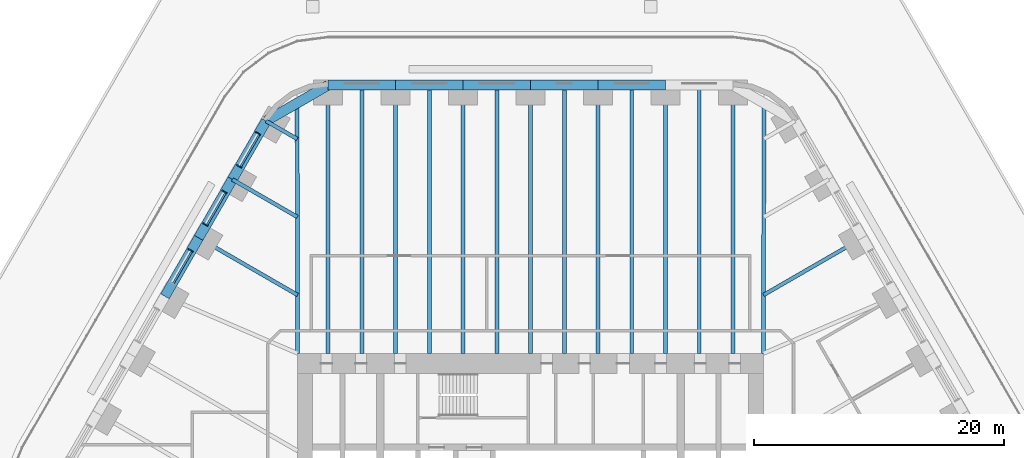
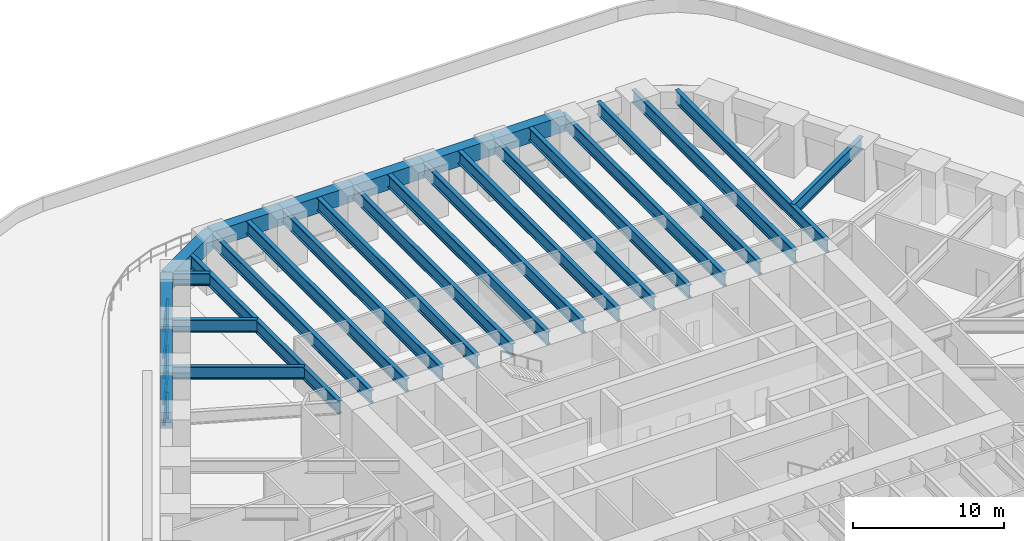
# One storey, part 5 of 17: 28 beams, 8 members, 3 elements without a shape of their own.
"""IFC4 building model written with IfcOpenShell, lengths in metres."""

from ifc_helpers import new_model, si_unit, direction, frame, origin, origin_2d, place, context, subcontext, project, spatial, rectangle, i_section, extrude, material, material_profile, profile_set, type_object, element, aggregate, save


model = new_model("IFC4")

# Units and contexts
model_context = context("Model", 3, precision=1e-05, world=origin(), true_north=direction((0.0, 1.0)))
body_context = subcontext(model_context, "Body", "Model", "MODEL_VIEW")
ifc_project = project(units=[si_unit("LENGTHUNIT", "METRE"), si_unit("AREAUNIT", "SQUARE_METRE"), si_unit("VOLUMEUNIT", "CUBIC_METRE"), si_unit("PLANEANGLEUNIT", "RADIAN"), si_unit("MASSUNIT", "GRAM", prefix="KILO")], contexts=[model_context])

# Site, building, storey
site_placement = place(None, origin())
site = spatial("IfcSite", under=ifc_project, at=site_placement, CompositionType="ELEMENT")
building_placement = place(site_placement, origin())
building = spatial("IfcBuilding", under=site, at=building_placement, Name="Tarfa Lantern Tower", CompositionType="ELEMENT")
storey_placement = place(building_placement, frame((0.0, 0.0, 23.5)))
storey = spatial("IfcBuildingStorey", under=building, at=storey_placement, Name="L04", CompositionType="ELEMENT", Elevation=23.5)

# Curtain wall, members
ifc_material_1 = material(Name="Aluminium framed curtain wall", Category="aluminium")
curtain_wall_type = type_object("IfcCurtainWallType", Name="CW1 CANTED GLAZING LOW ZONE 2700", PredefinedType="USERDEFINED", material=ifc_material_1)
curtain_wall_1_placement = place(storey_placement, origin())
curtain_wall_1 = element("IfcCurtainWall", 1, at=curtain_wall_1_placement, inside=storey, type_object=curtain_wall_type, Name="CW1 NW L04", ObjectType="CURTAIN WALL", PredefinedType="USERDEFINED")
ifc_material_2 = material(Name="Aluminium mullion", Category="aluminium")
ifc_material_profile_1 = material_profile(ifc_material_2, rectangle(XDim=0.06494140625, YDim=0.199951171875, at=origin_2d()), Name="AL MULLION 65x200")
ifc_profile_set_1 = profile_set([ifc_material_profile_1], Name="Aluminium mullion")
member_type_1 = type_object("IfcMemberType", Name="CWM1 MULLION 65x200", PredefinedType="MULLION", material=ifc_profile_set_1)
member_1_placement = place(storey_placement, frame((-21.86669921875, 29.926025390625, 0.0), z_axis=(0.07986442134, -0.046099868913, 0.99573916077), x_axis=(0.499919672301, 0.866071776036, 0.0)))
member_1 = element("IfcMember", 2, at=member_1_placement, type_object=member_type_1, Name="CW1 mullion 1", PredefinedType="MULLION", context=body_context, shape_type="SweptSolid", body=[
    extrude(rectangle(XDim=0.06494140625, YDim=0.199951171875, at=origin_2d()), origin(), (0.0, 0.0, 1.0), 2.71142578125),
])
member_2_placement = place(storey_placement, frame((-23.37841796875, 27.307373046875, 0.0), z_axis=(0.07986442134, -0.046099868913, 0.99573916077), x_axis=(0.499919672301, 0.866071776036, 0.0)))
member_2 = element("IfcMember", 3, at=member_2_placement, type_object=member_type_1, Name="CW1 mullion 2", PredefinedType="MULLION", context=body_context, shape_type="SweptSolid", body=[
    extrude(rectangle(XDim=0.06494140625, YDim=0.199951171875, at=origin_2d()), origin(), (0.0, 0.0, 1.0), 2.71142578125),
])

curtain_wall_2_placement = place(storey_placement, origin())
curtain_wall_2 = element("IfcCurtainWall", 4, at=curtain_wall_2_placement, inside=storey, type_object=curtain_wall_type, Name="CW1 NW L04", ObjectType="CURTAIN WALL", PredefinedType="USERDEFINED")
member_3_placement = place(storey_placement, frame((-24.560791015625, 25.25927734375, 0.0), z_axis=(0.079774955866, -0.04610020023, 0.995746317068), x_axis=(0.500342721131, 0.865827443207, 0.0)))
member_3 = element("IfcMember", 5, at=member_3_placement, type_object=member_type_1, Name="CW1 mullion 1", PredefinedType="MULLION", context=body_context, shape_type="SweptSolid", body=[
    extrude(rectangle(XDim=0.06494140625, YDim=0.199951171875, at=origin_2d()), origin(), (0.0, 0.0, 1.0), 2.71142578125),
])
member_4_placement = place(storey_placement, frame((-26.07275390625, 22.640625, 0.0), z_axis=(0.07986442134, -0.046099868913, 0.99573916077), x_axis=(0.499919672301, 0.866071776036, 0.0)))
member_4 = element("IfcMember", 6, at=member_4_placement, type_object=member_type_1, Name="CW1 mullion 2", PredefinedType="MULLION", context=body_context, shape_type="SweptSolid", body=[
    extrude(rectangle(XDim=0.06494140625, YDim=0.199951171875, at=origin_2d()), origin(), (0.0, 0.0, 1.0), 2.71142578125),
])

# Curtain wall, member
curtain_wall_3_placement = place(storey_placement, origin())
curtain_wall_3 = element("IfcCurtainWall", 7, at=curtain_wall_3_placement, inside=storey, type_object=curtain_wall_type, Name="CW1 NW L04", ObjectType="CURTAIN WALL", PredefinedType="USERDEFINED")
member_5_placement = place(storey_placement, frame((-27.255126953125, 20.592529296875, 0.0), z_axis=(0.079774955866, -0.04610020023, 0.995746317068), x_axis=(0.500342721131, 0.865827443207, 0.0)))
member_5 = element("IfcMember", 8, at=member_5_placement, type_object=member_type_1, Name="CW1 mullion 1", PredefinedType="MULLION", context=body_context, shape_type="SweptSolid", body=[
    extrude(rectangle(XDim=0.06494140625, YDim=0.199951171875, at=origin_2d()), origin(), (0.0, 0.0, 1.0), 2.71142578125),
])

# Member
ifc_material_3 = material(Name="Aluminium transom", Category="aluminium")
ifc_material_profile_2 = material_profile(ifc_material_3, rectangle(XDim=0.14990234375, YDim=0.06494140625, at=origin_2d()), Name="AL TRANSOM 150x65")
ifc_profile_set_2 = profile_set([ifc_material_profile_2], Name="Aluminium transom")
member_type_2 = type_object("IfcMemberType", Name="CWT1 TRANSOM 150x65", PredefinedType="USERDEFINED", material=ifc_profile_set_2)
member_6_placement = place(storey_placement, frame((-21.6689453125, 29.774169921875, 2.66748046875), z_axis=(-0.500017718492, -0.866015173767, 0.0), x_axis=(0.866015173767, -0.500017718492, 0.0)))
member_6 = element("IfcMember", 9, at=member_6_placement, type_object=member_type_2, Name="CW1 transom 1.2", ObjectType="TRANSOM", PredefinedType="USERDEFINED", context=body_context, shape_type="SweptSolid", body=[
    extrude(rectangle(XDim=0.14990234375, YDim=0.06494140625, at=origin_2d()), origin(), (0.0, 0.0, 1.0), 2.95849609375),
])

aggregate(curtain_wall_1, [member_1, member_2, member_6])

member_7_placement = place(storey_placement, frame((-24.36328125, 25.107666015625, 2.66748046875), z_axis=(-0.499981985492, -0.866035804215, 0.0), x_axis=(0.866035804215, -0.499981985492, 0.0)))
member_7 = element("IfcMember", 10, at=member_7_placement, type_object=member_type_2, Name="CW1 transom 1.2", ObjectType="TRANSOM", PredefinedType="USERDEFINED", context=body_context, shape_type="SweptSolid", body=[
    extrude(rectangle(XDim=0.14990234375, YDim=0.06494140625, at=origin_2d()), origin(), (0.0, 0.0, 1.0), 2.95849609375),
])

aggregate(curtain_wall_2, [member_3, member_4, member_7])

member_8_placement = place(storey_placement, frame((-27.0576171875, 20.44091796875, 2.66748046875), z_axis=(-0.499981985492, -0.866035804215, 0.0), x_axis=(0.866035804215, -0.499981985492, 0.0)))
member_8 = element("IfcMember", 11, at=member_8_placement, type_object=member_type_2, Name="CW1 transom 1.2", ObjectType="TRANSOM", PredefinedType="USERDEFINED", context=body_context, shape_type="SweptSolid", body=[
    extrude(rectangle(XDim=0.14990234375, YDim=0.06494140625, at=origin_2d()), origin(), (0.0, 0.0, 1.0), 2.95849609375),
])

aggregate(curtain_wall_3, [member_5, member_8])

# Beams
ifc_material_4 = material(Name="Concrete C80/95", Category="concrete")
ifc_material_profile_3 = material_profile(ifc_material_4, rectangle(XDim=0.800048828125, YDim=1.300048828125, at=origin_2d()), Name="RC 800x1300")
ifc_profile_set_3 = profile_set([ifc_material_profile_3], Name="Concrete C80/95")
beam_type_1 = type_object("IfcBeamType", Name="EB1 RC 800x1300", PredefinedType="SPANDREL", material=ifc_profile_set_3)
beam_1_placement = place(storey_placement, frame((10.777099609375, 33.719970703125, 3.35009765625), z_axis=(-1.0, 0.0, 0.0), x_axis=(0.0, -1.0, 0.0)))
element("IfcBeam", 12, at=beam_1_placement, inside=storey, type_object=beam_type_1, Name="Edge beam N1", PredefinedType="SPANDREL", context=body_context, shape_type="SweptSolid", body=[
    extrude(rectangle(XDim=0.800048828125, YDim=1.300048828125, at=origin_2d()), origin(), (0.0, 0.0, 1.0), 5.388427734375),
])
for number, where, z_axis, x_axis, name in (
    (13, (5.388671875, 33.719970703125, 3.35009765625), (-1.0, 0.0, 0.0), (0.0, -1.0, 0.0), "Edge beam N2"),
    (14, (0.0, 33.719970703125, 3.35009765625), (-1.0, 0.0, 0.0), (0.0, -1.0, 0.0), "Edge beam N3"),
):
    element("IfcBeam", number, at=place(storey_placement, frame(where, z_axis=z_axis, x_axis=x_axis)), inside=storey, type_object=beam_type_1, Name=name, PredefinedType="SPANDREL", context=body_context, shape_type="SweptSolid", body=[
        extrude(rectangle(XDim=0.800048828125, YDim=1.300048828125, at=origin_2d()), origin(), (0.0, 0.0, 1.0), 5.388671875),
    ])
beam_2_placement = place(storey_placement, frame((-5.388671875, 33.719970703125, 3.35009765625), z_axis=(-1.0, 0.0, 0.0), x_axis=(0.0, -1.0, 0.0)))
element("IfcBeam", 15, at=beam_2_placement, inside=storey, type_object=beam_type_1, Name="Edge beam N4", PredefinedType="SPANDREL", context=body_context, shape_type="SweptSolid", body=[
    extrude(rectangle(XDim=0.800048828125, YDim=1.300048828125, at=origin_2d()), origin(), (0.0, 0.0, 1.0), 5.388427734375),
])
beam_3_placement = place(storey_placement, frame((-10.777099609375, 33.719970703125, 3.35009765625), z_axis=(-1.0, 0.0, 0.0), x_axis=(0.0, -1.0, 0.0)))
element("IfcBeam", 16, at=beam_3_placement, inside=storey, type_object=beam_type_1, Name="Edge beam N5", PredefinedType="SPANDREL", context=body_context, shape_type="SweptSolid", body=[
    extrude(rectangle(XDim=0.800048828125, YDim=1.300048828125, at=origin_2d()), origin(), (0.0, 0.0, 1.0), 5.388671875),
])
beam_4_placement = place(storey_placement, frame((-16.165771484375, 33.719970703125, 3.35009765625), z_axis=(-0.866033479681, -0.499986011877, 0.0), x_axis=(0.499986011877, -0.866033479681, 0.0)))
element("IfcBeam", 17, at=beam_4_placement, inside=storey, type_object=beam_type_1, Name="Edge beam N6", PredefinedType="SPANDREL", context=body_context, shape_type="SweptSolid", body=[
    extrude(rectangle(XDim=0.800048828125, YDim=1.300048828125, at=origin_2d()), origin(), (0.0, 0.0, 1.0), 5.719970703125),
])
for number, where, z_axis, x_axis, name in (
    (18, (-21.119384765625, 30.860107421875, 3.35009765625), (-0.499998287579, -0.866026392449, 0.0), (0.866026392449, -0.499998287579, 0.0), "Edge beam NW0"),
    (19, (-23.813720703125, 26.193359375, 3.35009765625), (-0.499998287579, -0.866026392449, 0.0), (0.866026392449, -0.499998287579, 0.0), "Edge beam NW1"),
):
    element("IfcBeam", number, at=place(storey_placement, frame(where, z_axis=z_axis, x_axis=x_axis)), inside=storey, type_object=beam_type_1, Name=name, PredefinedType="SPANDREL", context=body_context, shape_type="SweptSolid", body=[
        extrude(rectangle(XDim=0.800048828125, YDim=1.300048828125, at=origin_2d()), origin(), (0.0, 0.0, 1.0), 5.388671875),
    ])
beam_5_placement = place(storey_placement, frame((-26.508056640625, 21.526611328125, 3.35009765625), z_axis=(-0.500017906299, -0.866015065331, 0.0), x_axis=(0.866015065331, -0.500017906299, 0.0)))
element("IfcBeam", 20, at=beam_5_placement, inside=storey, type_object=beam_type_1, Name="Edge beam NW2", PredefinedType="SPANDREL", context=body_context, shape_type="SweptSolid", body=[
    extrude(rectangle(XDim=0.800048828125, YDim=1.300048828125, at=origin_2d()), origin(), (0.0, 0.0, 1.0), 5.388427734375),
])
ifc_material_5 = material(Name="Steel S460M", Category="steel")
ifc_material_profile_4 = material_profile(ifc_material_5, i_section(OverallWidth=0.302001953125, OverallDepth=1.008056640625, WebThickness=0.02099609375, FlangeThickness=0.0400390625, FilletRadius=0.030029296875, at=origin_2d()), Name="UB1016x305x349")
ifc_profile_set_4 = profile_set([ifc_material_profile_4], Name="Steel S460M")
beam_type_2 = type_object("IfcBeamType", Name="UB1016x305x349", PredefinedType="BEAM", material=ifc_profile_set_4)
beam_6_placement = place(storey_placement, frame((26.508056640625, 21.526611328125, 3.495849609375), z_axis=(-0.866035355799, -0.49998276221, 0.0), x_axis=(0.49998276221, -0.866035355799, 0.0)))
element("IfcBeam", 21, at=beam_6_placement, inside=storey, type_object=beam_type_2, Name="Floor beam NE4", PredefinedType="BEAM", context=body_context, shape_type="SweptSolid", body=[
    extrude(i_section(OverallWidth=0.302001953125, OverallDepth=1.008056640625, WebThickness=0.02099609375, FlangeThickness=0.0400390625, FilletRadius=0.030029296875, at=origin_2d()), origin(), (0.0, 0.0, 1.0), 9.119873046875),
])
beam_7_placement = place(storey_placement, frame((-21.119384765625, 30.860107421875, 3.495849609375), z_axis=(0.866012580594, -0.500022209759, 0.0), x_axis=(0.500022209759, 0.866012580594, 0.0)))
element("IfcBeam", 22, at=beam_7_placement, inside=storey, type_object=beam_type_2, Name="Floor beam NW0", PredefinedType="BEAM", context=body_context, shape_type="SweptSolid", body=[
    extrude(i_section(OverallWidth=0.302001953125, OverallDepth=1.008056640625, WebThickness=0.02099609375, FlangeThickness=0.0400390625, FilletRadius=0.030029296875, at=origin_2d()), origin(), (0.0, 0.0, 1.0), 2.866943359375),
])
beam_8_placement = place(storey_placement, frame((-23.813720703125, 26.193359375, 3.495849609375), z_axis=(0.866015997389, -0.500016292001, 0.0), x_axis=(0.500016292001, 0.866015997389, 0.0)))
element("IfcBeam", 23, at=beam_8_placement, inside=storey, type_object=beam_type_2, Name="Floor beam NW1", PredefinedType="BEAM", context=body_context, shape_type="SweptSolid", body=[
    extrude(i_section(OverallWidth=0.302001953125, OverallDepth=1.008056640625, WebThickness=0.02099609375, FlangeThickness=0.0400390625, FilletRadius=0.030029296875, at=origin_2d()), origin(), (0.0, 0.0, 1.0), 5.993408203125),
])
beam_9_placement = place(storey_placement, frame((-26.508056640625, 21.526611328125, 3.495849609375), z_axis=(0.866035355799, -0.49998276221, 0.0), x_axis=(0.49998276221, 0.866035355799, 0.0)))
element("IfcBeam", 24, at=beam_9_placement, inside=storey, type_object=beam_type_2, Name="Floor beam NW2", PredefinedType="BEAM", context=body_context, shape_type="SweptSolid", body=[
    extrude(i_section(OverallWidth=0.302001953125, OverallDepth=1.008056640625, WebThickness=0.02099609375, FlangeThickness=0.0400390625, FilletRadius=0.030029296875, at=origin_2d()), origin(), (0.0, 0.0, 1.0), 9.119873046875),
])
ifc_material_profile_5 = material_profile(ifc_material_5, i_section(OverallWidth=0.314208984375, OverallDepth=1.055908203125, WebThickness=0.035888671875, FlangeThickness=0.06396484375, FilletRadius=0.030029296875, at=origin_2d()), Name="UB1016x305x584")
ifc_profile_set_5 = profile_set([ifc_material_profile_5], Name="Steel S460M")
beam_type_3 = type_object("IfcBeamType", Name="UB1016x305x584", PredefinedType="BEAM", material=ifc_profile_set_5)
for number, where, z_axis, x_axis, name in (
    (25, (18.60009765625, 12.300048828125, 3.471923828125), (0.00212508222, 0.99999774201, 0.0), (-0.99999774201, 0.00212508222, 0.0), "Hip girder NE"),
    (26, (-18.60009765625, 12.300048828125, 3.471923828125), (-0.00212508222, 0.99999774201, 0.0), (-0.99999774201, -0.00212508222, 0.0), "Hip girder NW"),
):
    element("IfcBeam", number, at=place(storey_placement, frame(where, z_axis=z_axis, x_axis=x_axis)), inside=storey, type_object=beam_type_3, Name=name, PredefinedType="BEAM", context=body_context, shape_type="SweptSolid", body=[
        extrude(i_section(OverallWidth=0.314208984375, OverallDepth=1.055908203125, WebThickness=0.035888671875, FlangeThickness=0.06396484375, FilletRadius=0.030029296875, at=origin_2d()), origin(), (0.0, 0.0, 1.0), 19.989990234375),
    ])
for number, where, z_axis, x_axis, name in (
    (27, (16.165771484375, 33.719970703125, 3.471923828125), (0.0, -1.0, 0.0), (1.0, 0.0, 0.0), "Floor beam N0"),
    (28, (10.777099609375, 33.719970703125, 3.471923828125), (0.0, -1.0, 0.0), (1.0, 0.0, 0.0), "Floor beam N1"),
    (29, (5.388671875, 33.719970703125, 3.471923828125), (0.0, -1.0, 0.0), (1.0, 0.0, 0.0), "Floor beam N2"),
    (30, (0.0, 33.719970703125, 3.471923828125), (0.0, -1.0, 0.0), (1.0, 0.0, 0.0), "Floor beam N3"),
    (31, (-5.388671875, 33.719970703125, 3.471923828125), (0.0, -1.0, 0.0), (1.0, 0.0, 0.0), "Floor beam N4"),
    (32, (-10.777099609375, 33.719970703125, 3.471923828125), (0.0, -1.0, 0.0), (1.0, 0.0, 0.0), "Floor beam N5"),
    (33, (-16.165771484375, 33.719970703125, 3.471923828125), (0.0, -1.0, 0.0), (1.0, 0.0, 0.0), "Floor beam N6"),
    (34, (13.471435546875, 33.719970703125, 3.471923828125), (0.0, -1.0, 0.0), (1.0, 0.0, 0.0), "Floor beam N0M"),
    (35, (8.0830078125, 33.719970703125, 3.471923828125), (0.0, -1.0, 0.0), (1.0, 0.0, 0.0), "Floor beam N1M"),
    (36, (2.6943359375, 33.719970703125, 3.471923828125), (0.0, -1.0, 0.0), (1.0, 0.0, 0.0), "Floor beam N2M"),
    (37, (-2.6943359375, 33.719970703125, 3.471923828125), (0.0, -1.0, 0.0), (1.0, 0.0, 0.0), "Floor beam N3M"),
    (38, (-8.0830078125, 33.719970703125, 3.471923828125), (0.0, -1.0, 0.0), (1.0, 0.0, 0.0), "Floor beam N4M"),
    (39, (-13.471435546875, 33.719970703125, 3.471923828125), (0.0, -1.0, 0.0), (1.0, 0.0, 0.0), "Floor beam N5M"),
):
    element("IfcBeam", number, at=place(storey_placement, frame(where, z_axis=z_axis, x_axis=x_axis)), inside=storey, type_object=beam_type_3, Name=name, PredefinedType="BEAM", context=body_context, shape_type="SweptSolid", body=[
        extrude(i_section(OverallWidth=0.314208984375, OverallDepth=1.055908203125, WebThickness=0.035888671875, FlangeThickness=0.06396484375, FilletRadius=0.030029296875, at=origin_2d()), origin(), (0.0, 0.0, 1.0), 21.419921875),
    ])

save(model, "model.ifc")
